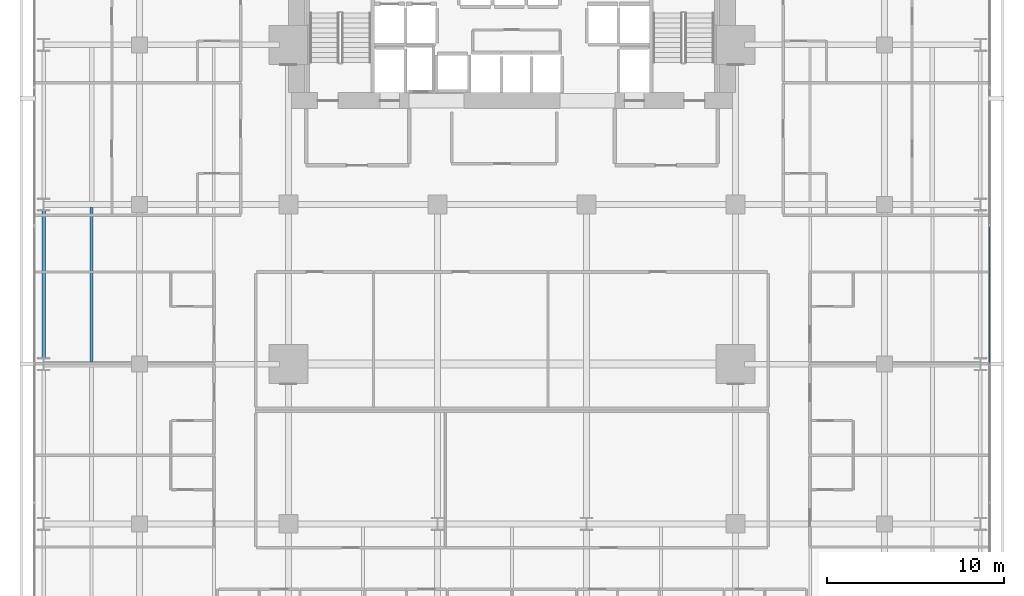
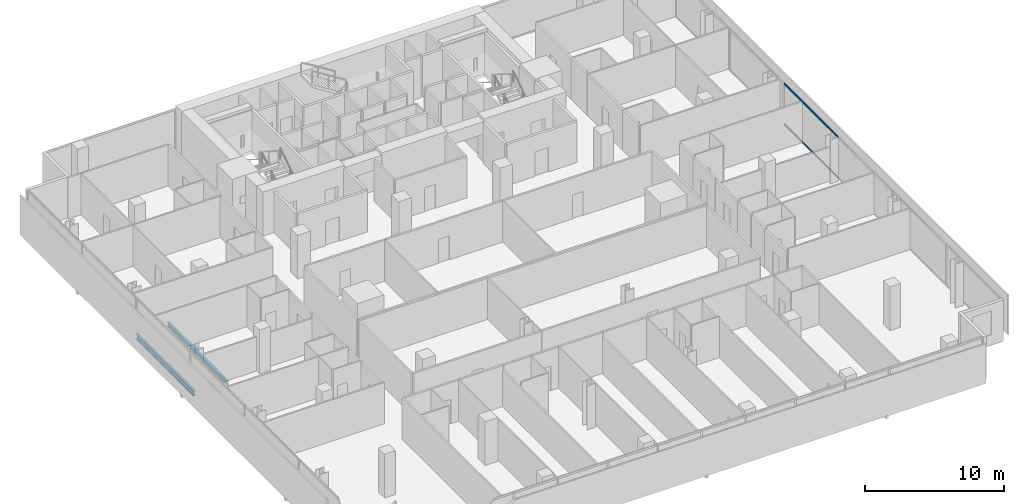
# One storey, part 20 of 40: 2 beams, 2 members, 1 element without a shape of its own.
"""IFC4 building model written with IfcOpenShell, lengths in metres."""

from ifc_helpers import new_model, si_unit, direction, frame, origin, origin_2d, place, context, subcontext, project, spatial, hollow_rectangle, i_section, extrude, material, layer, layer_set, material_profile, profile_set, type_object, element, aggregate, save


model = new_model("IFC4")

# Units and contexts
model_context = context("Model", 3, precision=1e-05, world=origin(), true_north=direction((0.0, 1.0)))
body_context = subcontext(model_context, "Body", "Model", "MODEL_VIEW")
ifc_project = project(units=[si_unit("LENGTHUNIT", "METRE"), si_unit("AREAUNIT", "SQUARE_METRE"), si_unit("VOLUMEUNIT", "CUBIC_METRE"), si_unit("PLANEANGLEUNIT", "RADIAN"), si_unit("MASSUNIT", "GRAM", prefix="KILO")], contexts=[model_context])

# Site, building, storey
site_placement = place(None, origin())
site = spatial("IfcSite", under=ifc_project, at=site_placement, CompositionType="ELEMENT")
building_placement = place(site_placement, origin())
building = spatial("IfcBuilding", under=site, at=building_placement, Name="Maruvema Waterfront Hotel and Observation Tower", CompositionType="ELEMENT")
storey_placement = place(building_placement, frame((0.0, 0.0, 42.35009765625)))
storey = spatial("IfcBuildingStorey", under=building, at=storey_placement, Name="L09", CompositionType="ELEMENT", Elevation=42.35009765625)

# Curtain wall, members
ifc_material_1 = material(Name="Anodised bronze aluminium and solar-control low-E IGU", Category="aluminium")
ifc_layer = layer(ifc_material_1, 0.159912109375, Name="Zone 1 Bronze Inner Thermal Curtain Wall System CW-02")
ifc_layer_set = layer_set([ifc_layer], Name="Anodised bronze aluminium and solar-control low-E IGU")
curtain_wall_type = type_object("IfcCurtainWallType", Name="Zone 1 Bronze Inner Thermal Curtain Wall System CW-02", PredefinedType="USERDEFINED", material=ifc_layer_set)
curtain_wall_placement = place(storey_placement, origin())
curtain_wall = element("IfcCurtainWall", 1, at=curtain_wall_placement, inside=storey, type_object=curtain_wall_type, Name="L09 Curtain Wall CW-L09-E", ObjectType="UNITISED CURTAIN WALL", PredefinedType="USERDEFINED")
ifc_material_2 = material(Name="Anodised architectural bronze aluminium", Category="aluminium")
ifc_material_profile_1 = material_profile(ifc_material_2, hollow_rectangle(XDim=0.070068359375, YDim=0.14990234375, WallThickness=0.00390625, at=origin_2d()), Name="ALU-T70x150")
ifc_profile_set_1 = profile_set([ifc_material_profile_1], Name="Anodised architectural bronze aluminium")
member_type = type_object("IfcMemberType", Name="Curtain Wall Horizontal Transom ALU-T70x150", PredefinedType="USERDEFINED", material=ifc_profile_set_1)
member_1_placement = place(storey_placement, frame((64.719970703125, 27.030029296875, 0.02978515625), z_axis=(0.0, 1.0, 0.0), x_axis=(-1.0, 0.0, 0.0)))
member_1 = element("IfcMember", 2, at=member_1_placement, type_object=member_type, Name="CW-02 transom 4.1", ObjectType="TRANSOM", PredefinedType="USERDEFINED", context=body_context, shape_type="SweptSolid", body=[
    extrude(hollow_rectangle(XDim=0.070068359375, YDim=0.14990234375, WallThickness=0.00390625, at=origin_2d()), origin(), (0.0, 0.0, 1.0), 7.739990234375),
])
member_2_placement = place(storey_placement, frame((64.719970703125, 27.030029296875, 3.579833984375), z_axis=(0.0, 1.0, 0.0), x_axis=(-1.0, 0.0, 0.0)))
member_2 = element("IfcMember", 3, at=member_2_placement, type_object=member_type, Name="CW-02 transom 4.2", ObjectType="TRANSOM", PredefinedType="USERDEFINED", context=body_context, shape_type="SweptSolid", body=[
    extrude(hollow_rectangle(XDim=0.070068359375, YDim=0.14990234375, WallThickness=0.00390625, at=origin_2d()), origin(), (0.0, 0.0, 1.0), 7.739990234375),
])
aggregate(curtain_wall, [member_1, member_2])

# Beams
ifc_material_3 = material(Name="Steel ASTM A572 Grade 50", Category="steel")
ifc_material_profile_2 = material_profile(ifc_material_3, i_section(OverallWidth=0.18994140625, OverallDepth=0.45703125, WebThickness=0.009033203125, FlangeThickness=0.014404296875, FilletRadius=0.014892578125, at=origin_2d()), Name="W460x74.0")
ifc_profile_set_2 = profile_set([ifc_material_profile_2], Name="Steel ASTM A572 Grade 50")
beam_type_1 = type_object("IfcBeamType", Name="Perimeter Spandrel Beam W460x74.0", PredefinedType="SPANDREL", material=ifc_profile_set_2)
beam_1_placement = place(storey_placement, frame((11.39990234375, 27.35009765625, -0.468505859375), z_axis=(0.0, 1.0, 0.0), x_axis=(-1.0, 0.0, 0.0)))
element("IfcBeam", 4, at=beam_1_placement, inside=storey, type_object=beam_type_1, Name="L09 Floor Girder NS-03", PredefinedType="SPANDREL", context=body_context, shape_type="SweptSolid", body=[
    extrude(i_section(OverallWidth=0.18994140625, OverallDepth=0.45703125, WebThickness=0.009033203125, FlangeThickness=0.014404296875, FilletRadius=0.014892578125, at=origin_2d()), origin(), (0.0, 0.0, 1.0), 8.2998046875),
])
ifc_material_4 = material(Name="Steel ASTM A572 Grade 50", Category="steel")
ifc_material_profile_3 = material_profile(ifc_material_4, i_section(OverallWidth=0.1708984375, OverallDepth=0.35498046875, WebThickness=0.007080078125, FlangeThickness=0.01171875, FilletRadius=0.014892578125, at=origin_2d()), Name="W360x51.0")
ifc_profile_set_3 = profile_set([ifc_material_profile_3], Name="Steel ASTM A572 Grade 50")
beam_type_2 = type_object("IfcBeamType", Name="Secondary Floor Joist W360x51.0", PredefinedType="JOIST", material=ifc_profile_set_3)
beam_2_placement = place(storey_placement, frame((14.10009765625, 27.16357421875, -0.41748046875), z_axis=(0.0, 1.0, 0.0), x_axis=(-1.0, 0.0, 0.0)))
element("IfcBeam", 5, at=beam_2_placement, inside=storey, type_object=beam_type_2, Name="L09 Secondary Floor Joist JS-03", PredefinedType="JOIST", context=body_context, shape_type="SweptSolid", body=[
    extrude(i_section(OverallWidth=0.1708984375, OverallDepth=0.35498046875, WebThickness=0.007080078125, FlangeThickness=0.01171875, FilletRadius=0.014892578125, at=origin_2d()), origin(), (0.0, 0.0, 1.0), 8.6728515625),
])

save(model, "model.ifc")
